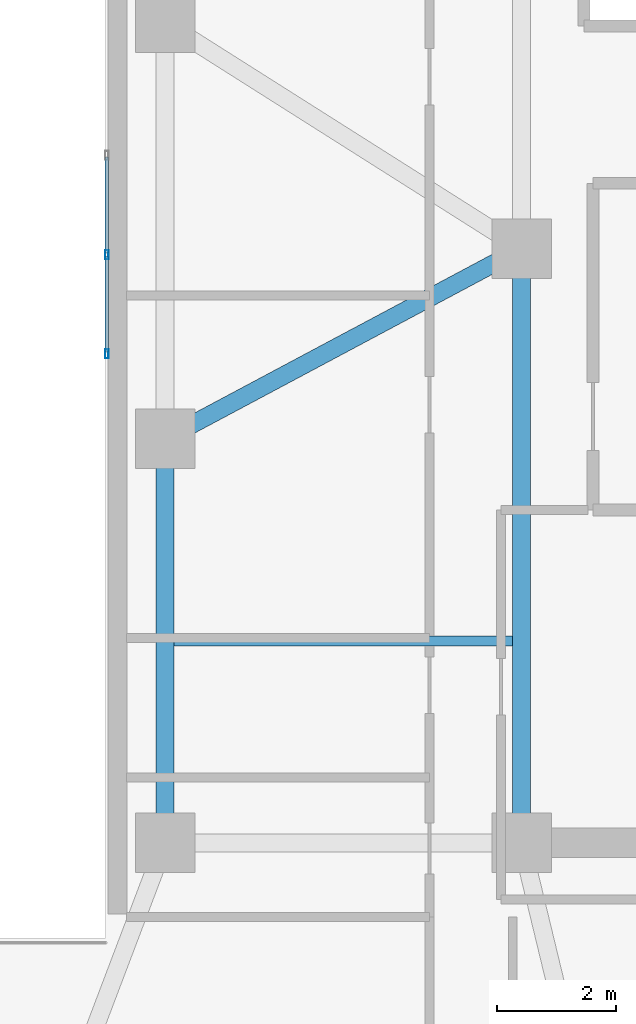
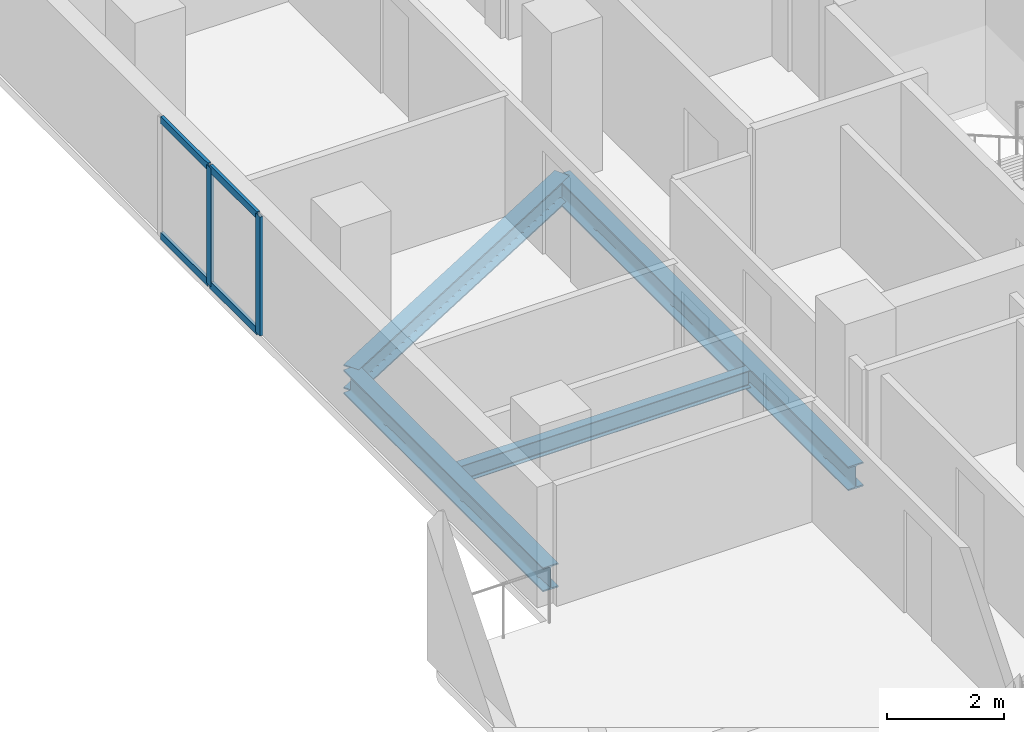
# One storey, part 5 of 14: 6 members, 4 beams, 1 element without a shape of its own.
"""IFC4 building model written with IfcOpenShell, lengths in metres."""

from ifc_helpers import new_model, si_unit, direction, frame, origin, origin_2d, place, context, subcontext, project, spatial, hollow_rectangle, i_section, extrude, material, material_profile, profile_set, type_object, element, aggregate, save


model = new_model("IFC4")

# Units and contexts
model_context = context("Model", 3, precision=1e-05, world=origin(), true_north=direction((0.0, 1.0)))
body_context = subcontext(model_context, "Body", "Model", "MODEL_VIEW")
ifc_project = project(units=[si_unit("LENGTHUNIT", "METRE"), si_unit("AREAUNIT", "SQUARE_METRE"), si_unit("VOLUMEUNIT", "CUBIC_METRE"), si_unit("PLANEANGLEUNIT", "RADIAN"), si_unit("MASSUNIT", "GRAM", prefix="KILO")], contexts=[model_context])

# Site, building, storey
site_placement = place(None, origin())
site = spatial("IfcSite", under=ifc_project, at=site_placement, CompositionType="ELEMENT")
building_placement = place(site_placement, origin())
building = spatial("IfcBuilding", under=site, at=building_placement, Name="Kuzgunbayir Cultural Tower", CompositionType="ELEMENT")
storey_placement = place(building_placement, frame((0.0, 0.0, 33.39990234375)))
storey = spatial("IfcBuildingStorey", under=building, at=storey_placement, Name="L08", CompositionType="ELEMENT", Elevation=33.39990234375)

# Beams
ifc_material_1 = material(Name="Steel S355J2", Category="steel")
ifc_material_profile_1 = material_profile(ifc_material_1, i_section(OverallWidth=0.300048828125, OverallDepth=0.5, WebThickness=0.014404296875, FlangeThickness=0.028076171875, FilletRadius=0.027099609375, at=origin_2d()), Name="HEB 500")
ifc_profile_set_1 = profile_set([ifc_material_profile_1], Name="Steel S355J2")
beam_type_1 = type_object("IfcBeamType", Name="BM-EXT-HEB500", PredefinedType="BEAM", material=ifc_profile_set_1)
beam_1_placement = place(storey_placement, frame((58.60009765625, 22.0, -0.429931640625), z_axis=(0.0, 1.0, 0.0), x_axis=(-1.0, 0.0, 0.0)))
element("IfcBeam", 1, at=beam_1_placement, inside=storey, type_object=beam_type_1, Name="L08 Companion West Girder", PredefinedType="BEAM", context=body_context, shape_type="SweptSolid", body=[
    extrude(i_section(OverallWidth=0.300048828125, OverallDepth=0.5, WebThickness=0.014404296875, FlangeThickness=0.028076171875, FilletRadius=0.027099609375, at=origin_2d()), origin(), (0.0, 0.0, 1.0), 6.800048828125),
])
ifc_material_profile_2 = material_profile(ifc_material_1, i_section(OverallWidth=0.300048828125, OverallDepth=0.5, WebThickness=0.014404296875, FlangeThickness=0.028076171875, FilletRadius=0.027099609375, at=origin_2d()), Name="HEB 500")
ifc_profile_set_2 = profile_set([ifc_material_profile_2], Name="Steel S355J2")
beam_type_2 = type_object("IfcBeamType", Name="BM-GIR-HEB500", PredefinedType="BEAM", material=ifc_profile_set_2)
beam_2_placement = place(storey_placement, frame((58.60009765625, 28.800048828125, -0.429931640625), z_axis=(0.882355922736, 0.470582644828, 0.0), x_axis=(-0.470582644828, 0.882355922736, 0.0)))
element("IfcBeam", 2, at=beam_2_placement, inside=storey, type_object=beam_type_2, Name="L08 Companion Transverse Girder 2", PredefinedType="BEAM", context=body_context, shape_type="SweptSolid", body=[
    extrude(i_section(OverallWidth=0.300048828125, OverallDepth=0.5, WebThickness=0.014404296875, FlangeThickness=0.028076171875, FilletRadius=0.027099609375, at=origin_2d()), origin(), (0.0, 0.0, 1.0), 6.800048828125),
])
beam_3_placement = place(storey_placement, frame((64.60009765625, 22.0, -0.429931640625), z_axis=(0.0, 1.0, 0.0), x_axis=(-1.0, 0.0, 0.0)))
element("IfcBeam", 3, at=beam_3_placement, inside=storey, type_object=beam_type_2, Name="L08 Companion Core West Girder 1", PredefinedType="BEAM", context=body_context, shape_type="SweptSolid", body=[
    extrude(i_section(OverallWidth=0.300048828125, OverallDepth=0.5, WebThickness=0.014404296875, FlangeThickness=0.028076171875, FilletRadius=0.027099609375, at=origin_2d()), origin(), (0.0, 0.0, 1.0), 10.0),
])
ifc_material_profile_3 = material_profile(ifc_material_1, i_section(OverallWidth=0.169921875, OverallDepth=0.360107421875, WebThickness=0.008056640625, FlangeThickness=0.0126953125, FilletRadius=0.01806640625, at=origin_2d()), Name="IPE 360")
ifc_profile_set_3 = profile_set([ifc_material_profile_3], Name="Steel S355J2")
beam_type_3 = type_object("IfcBeamType", Name="BM-JST-IPE360", PredefinedType="JOIST", material=ifc_profile_set_3)
beam_4_placement = place(storey_placement, frame((58.75, 25.39990234375, -0.35986328125), z_axis=(1.0, 0.0, 0.0), x_axis=(0.0, 1.0, 0.0)))
element("IfcBeam", 4, at=beam_4_placement, inside=storey, type_object=beam_type_3, Name="L08 Companion Joist", PredefinedType="JOIST", context=body_context, shape_type="SweptSolid", body=[
    extrude(i_section(OverallWidth=0.169921875, OverallDepth=0.360107421875, WebThickness=0.008056640625, FlangeThickness=0.0126953125, FilletRadius=0.01806640625, at=origin_2d()), origin(), (0.0, 0.0, 1.0), 5.699951171875),
])

# Curtain wall, members
ifc_material_2 = material(Name="Anodised Aluminium Framing", Category="aluminium")
curtain_wall_type = type_object("IfcCurtainWallType", Name="CW04-T2-CULTURAL", PredefinedType="NOTDEFINED", material=ifc_material_2)
curtain_wall_placement = place(storey_placement, origin())
curtain_wall = element("IfcCurtainWall", 5, at=curtain_wall_placement, inside=storey, type_object=curtain_wall_type, Name="L08 Companion Cultural Curtain Wall", PredefinedType="NOTDEFINED")
ifc_material_profile_4 = material_profile(ifc_material_2, hollow_rectangle(XDim=0.06005859375, YDim=0.14990234375, WallThickness=0.00390625, at=origin_2d()), Name="RHS 150x60x4")
ifc_profile_set_4 = profile_set([ifc_material_profile_4], Name="Anodised Aluminium Framing")
member_type_1 = type_object("IfcMemberType", Name="MEM-CW-MULLION-150", PredefinedType="MULLION", material=ifc_profile_set_4)
member_1_placement = place(storey_placement, frame((57.6201171875, 30.22998046875, 0.0), z_axis=(0.0, 0.0, 1.0), x_axis=(-1.0, 0.0, 0.0)))
member_1 = element("IfcMember", 6, at=member_1_placement, type_object=member_type_1, Name="CW04 mullion 1", PredefinedType="MULLION", context=body_context, shape_type="SweptSolid", body=[
    extrude(hollow_rectangle(XDim=0.06005859375, YDim=0.14990234375, WallThickness=0.00390625, at=origin_2d()), origin(), (0.0, 0.0, 1.0), 2.47021484375),
])
member_2_placement = place(storey_placement, frame((57.6201171875, 31.89990234375, 0.0), z_axis=(0.0, 0.0, 1.0), x_axis=(-1.0, 0.0, 0.0)))
member_2 = element("IfcMember", 7, at=member_2_placement, type_object=member_type_1, Name="CW04 mullion 2", PredefinedType="MULLION", context=body_context, shape_type="SweptSolid", body=[
    extrude(hollow_rectangle(XDim=0.06005859375, YDim=0.14990234375, WallThickness=0.00390625, at=origin_2d()), origin(), (0.0, 0.0, 1.0), 2.47021484375),
])
ifc_material_profile_5 = material_profile(ifc_material_2, hollow_rectangle(XDim=0.06005859375, YDim=0.14990234375, WallThickness=0.00390625, at=origin_2d()), Name="RHS 150x60x4")
ifc_profile_set_5 = profile_set([ifc_material_profile_5], Name="Anodised Aluminium Framing")
member_type_2 = type_object("IfcMemberType", Name="MEM-CW-TRANSOM-150", PredefinedType="USERDEFINED", material=ifc_profile_set_5)
member_3_placement = place(storey_placement, frame((57.6201171875, 30.260009765625, 0.030029296875), z_axis=(0.0, 1.0, 0.0), x_axis=(-1.0, 0.0, 0.0)))
member_3 = element("IfcMember", 8, at=member_3_placement, type_object=member_type_2, Name="CW04 transom 1.1", ObjectType="TRANSOM", PredefinedType="USERDEFINED", context=body_context, shape_type="SweptSolid", body=[
    extrude(hollow_rectangle(XDim=0.06005859375, YDim=0.14990234375, WallThickness=0.00390625, at=origin_2d()), origin(), (0.0, 0.0, 1.0), 1.610107421875),
])
member_4_placement = place(storey_placement, frame((57.6201171875, 30.260009765625, 2.440185546875), z_axis=(0.0, 1.0, 0.0), x_axis=(-1.0, 0.0, 0.0)))
member_4 = element("IfcMember", 9, at=member_4_placement, type_object=member_type_2, Name="CW04 transom 1.2", ObjectType="TRANSOM", PredefinedType="USERDEFINED", context=body_context, shape_type="SweptSolid", body=[
    extrude(hollow_rectangle(XDim=0.06005859375, YDim=0.14990234375, WallThickness=0.00390625, at=origin_2d()), origin(), (0.0, 0.0, 1.0), 1.610107421875),
])
member_5_placement = place(storey_placement, frame((57.6201171875, 31.929931640625, 0.030029296875), z_axis=(0.0, 1.0, 0.0), x_axis=(-1.0, 0.0, 0.0)))
member_5 = element("IfcMember", 10, at=member_5_placement, type_object=member_type_2, Name="CW04 transom 2.1", ObjectType="TRANSOM", PredefinedType="USERDEFINED", context=body_context, shape_type="SweptSolid", body=[
    extrude(hollow_rectangle(XDim=0.06005859375, YDim=0.14990234375, WallThickness=0.00390625, at=origin_2d()), origin(), (0.0, 0.0, 1.0), 1.610107421875),
])
member_6_placement = place(storey_placement, frame((57.6201171875, 31.929931640625, 2.440185546875), z_axis=(0.0, 1.0, 0.0), x_axis=(-1.0, 0.0, 0.0)))
member_6 = element("IfcMember", 11, at=member_6_placement, type_object=member_type_2, Name="CW04 transom 2.2", ObjectType="TRANSOM", PredefinedType="USERDEFINED", context=body_context, shape_type="SweptSolid", body=[
    extrude(hollow_rectangle(XDim=0.06005859375, YDim=0.14990234375, WallThickness=0.00390625, at=origin_2d()), origin(), (0.0, 0.0, 1.0), 1.610107421875),
])
aggregate(curtain_wall, [member_1, member_2, member_3, member_4, member_5, member_6])

save(model, "model.ifc")
